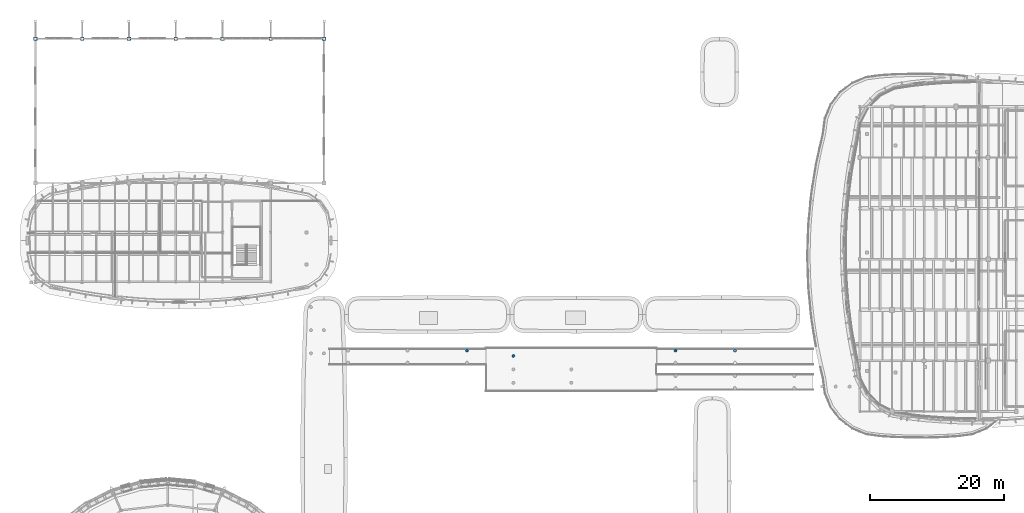
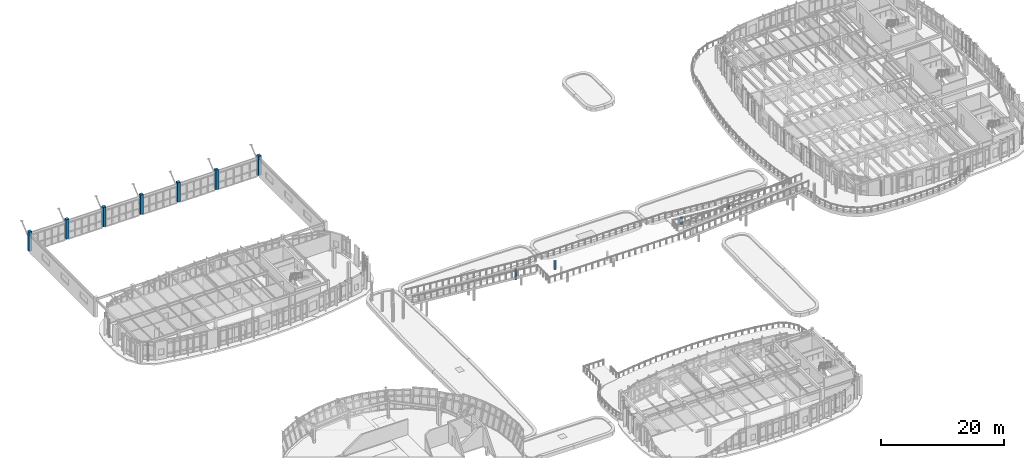
# One storey, part 8 of 111: 11 columns.
"""IFC4 building model written with IfcOpenShell, lengths in metres."""

from ifc_helpers import new_model, si_unit, direction, frame, origin, origin_2d, place, context, subcontext, project, spatial, rectangle, circle, extrude, material, material_profile, profile_set, type_object, element, save


model = new_model("IFC4")

# Units and contexts
model_context = context("Model", 3, precision=1e-05, world=origin(), true_north=direction((0.0, 1.0)))
body_context = subcontext(model_context, "Body", "Model", "MODEL_VIEW")
ifc_project = project(units=[si_unit("LENGTHUNIT", "METRE"), si_unit("AREAUNIT", "SQUARE_METRE"), si_unit("VOLUMEUNIT", "CUBIC_METRE"), si_unit("PLANEANGLEUNIT", "RADIAN"), si_unit("MASSUNIT", "GRAM", prefix="KILO")], contexts=[model_context])

# Site, building, storey
site_placement = place(None, origin())
site = spatial("IfcSite", under=ifc_project, at=site_placement, CompositionType="ELEMENT")
building_placement = place(site_placement, origin())
building = spatial("IfcBuilding", under=site, at=building_placement, Name="Corveleigh Park Community Centre", CompositionType="ELEMENT")
storey_placement = place(building_placement, frame((0.0, 0.0, 4.800048828125)))
storey = spatial("IfcBuildingStorey", under=building, at=storey_placement, Name="L01", CompositionType="ELEMENT", Elevation=4.800048828125)

# Columns
ifc_material = material(Name="Concrete C40/50", Category="concrete")
ifc_material_profile_1 = material_profile(ifc_material, rectangle(XDim=0.550048828125, YDim=0.550048828125, at=origin_2d()), Name="RC-550x550", Category="concrete")
ifc_profile_set_1 = profile_set([ifc_material_profile_1], Name="Concrete C40/50")
column_type_1 = type_object("IfcColumnType", Name="COL-RC-550x550", PredefinedType="COLUMN", material=ifc_profile_set_1)
for number, where, z_axis, x_axis, name in (
    (1, (11.199951171875, 114.39990234375, 0.0), (0.0, 0.0, 1.0), (1.0, 0.0, 0.0), "Column V2-HN1 L01"),
    (2, (18.199951171875, 114.39990234375, 0.0), (0.0, 0.0, 1.0), (1.0, 0.0, 0.0), "Column V2-HN2 L01"),
    (3, (25.199951171875, 114.39990234375, 0.0), (0.0, 0.0, 1.0), (1.0, 0.0, 0.0), "Column V2-HN3 L01"),
    (4, (32.199951171875, 114.39990234375, 0.0), (0.0, 0.0, 1.0), (1.0, 0.0, 0.0), "Column V2-HN4 L01"),
    (5, (39.199951171875, 114.39990234375, 0.0), (0.0, 0.0, 1.0), (1.0, 0.0, 0.0), "Column V2-HN5 L01"),
    (6, (46.39990234375, 114.39990234375, 0.0), (0.0, 0.0, 1.0), (1.0, 0.0, 0.0), "Column V2-HN6 L01"),
    (7, (54.39990234375, 114.39990234375, 0.0), (0.0, 0.0, 1.0), (1.0, 0.0, 0.0), "Column V2-HN7 L01"),
):
    element("IfcColumn", number, at=place(storey_placement, frame(where, z_axis=z_axis, x_axis=x_axis)), inside=storey, type_object=column_type_1, Name=name, PredefinedType="COLUMN", context=body_context, shape_type="SweptSolid", body=[
        extrude(rectangle(XDim=0.550048828125, YDim=0.550048828125, at=origin_2d()), origin(), (0.0, 0.0, 1.0), 3.89990234375),
    ])
ifc_material_profile_2 = material_profile(ifc_material, circle(Radius=0.22509765625, at=origin_2d()), Name="RC-450D", Category="concrete")
ifc_profile_set_2 = profile_set([ifc_material_profile_2], Name="Concrete C40/50")
column_type_2 = type_object("IfcColumnType", Name="COL-RCE-450D", PredefinedType="COLUMN", material=ifc_profile_set_2)
column_1_placement = place(storey_placement, frame((115.89990234375, 67.699951171875, 0.0), z_axis=(0.0, 0.0, 1.0), x_axis=(1.0, 0.0, 0.0)))
element("IfcColumn", 8, at=column_1_placement, inside=storey, type_object=column_type_2, Name="External deck support pier 99 L01", PredefinedType="COLUMN", context=body_context, shape_type="SweptSolid", body=[
    extrude(circle(Radius=0.22509765625, at=origin_2d()), origin(), (0.0, 0.0, 1.0), 0.779052734375),
])
column_2_placement = place(storey_placement, frame((107.008056640625, 67.699951171875, 0.0), z_axis=(0.0, 0.0, 1.0), x_axis=(1.0, 0.0, 0.0)))
element("IfcColumn", 9, at=column_2_placement, inside=storey, type_object=column_type_2, Name="External deck support pier 101 L01", PredefinedType="COLUMN", context=body_context, shape_type="SweptSolid", body=[
    extrude(circle(Radius=0.22509765625, at=origin_2d()), origin(), (0.0, 0.0, 1.0), 1.52001953125),
])
column_3_placement = place(storey_placement, frame((75.7919921875, 67.699951171875, 0.0), z_axis=(0.0, 0.0, 1.0), x_axis=(1.0, 0.0, 0.0)))
element("IfcColumn", 10, at=column_3_placement, inside=storey, type_object=column_type_2, Name="External deck support pier 103 L01", PredefinedType="COLUMN", context=body_context, shape_type="SweptSolid", body=[
    extrude(circle(Radius=0.22509765625, at=origin_2d()), origin(), (0.0, 0.0, 1.0), 1.988037109375),
])
column_4_placement = place(storey_placement, frame((82.73388671875, 66.916015625, 0.0), z_axis=(0.0, 0.0, 1.0), x_axis=(1.0, 0.0, 0.0)))
element("IfcColumn", 11, at=column_4_placement, inside=storey, type_object=column_type_2, Name="External deck support pier 244 L01", PredefinedType="COLUMN", context=body_context, shape_type="SweptSolid", body=[
    extrude(circle(Radius=0.22509765625, at=origin_2d()), origin(), (0.0, 0.0, 1.0), 1.75390625),
])

save(model, "model.ifc")
